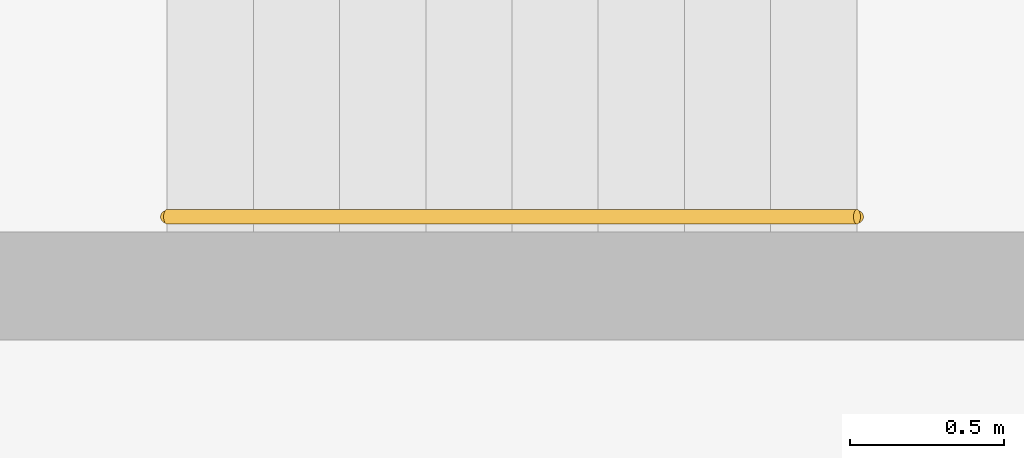
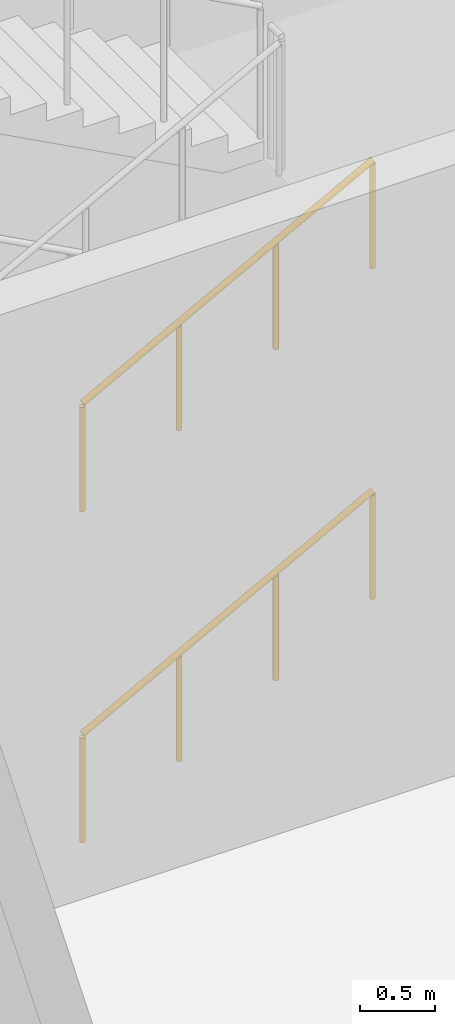
# One storey, part 24 of 35: 2 railings.
"""IFC4 building model written with IfcOpenShell, lengths in metres."""

from ifc_helpers import new_model, si_unit, direction, frame, origin, origin_2d, place, context, subcontext, project, spatial, circle, extrude, material, type_object, element, save


model = new_model("IFC4")

# Units and contexts
model_context = context("Model", 3, precision=1e-05, world=origin(), true_north=direction((0.0, 1.0)))
body_context = subcontext(model_context, "Body", "Model", "MODEL_VIEW")
ifc_project = project(units=[si_unit("LENGTHUNIT", "METRE"), si_unit("AREAUNIT", "SQUARE_METRE"), si_unit("VOLUMEUNIT", "CUBIC_METRE"), si_unit("PLANEANGLEUNIT", "RADIAN"), si_unit("MASSUNIT", "GRAM", prefix="KILO")], contexts=[model_context])

# Site, building, storey
site_placement = place(None, origin())
site = spatial("IfcSite", under=ifc_project, at=site_placement, CompositionType="ELEMENT")
building_placement = place(site_placement, origin())
building = spatial("IfcBuilding", under=site, at=building_placement, Name="Jabali Bay Hotel Tower and Convention Centre", CompositionType="ELEMENT")
storey_placement = place(building_placement, frame((0.0, 0.0, 15.0)))
storey = spatial("IfcBuildingStorey", under=building, at=storey_placement, Name="L02", CompositionType="ELEMENT", Elevation=15.0)

# Railings
ifc_material = material(Name="Stainless steel 304", Category="steel")
railing_type = type_object("IfcRailingType", Name="CC Stair Handrail 900", PredefinedType="HANDRAIL", material=ifc_material)
railing_1_placement = place(storey_placement, frame((152.10009765625, 100.22509765625, 0.14990234375)))
element("IfcRailing", 1, at=railing_1_placement, inside=storey, type_object=railing_type, Name="L02 CC-STWA stair handrail 1", PredefinedType="HANDRAIL", context=body_context, shape_type="SweptSolid", body=[
    extrude(circle(Radius=0.02392578125, at=origin_2d()), frame((0.0, 0.0, 0.8759765625), z_axis=(0.881447119201, 0.0, 0.472282728937), x_axis=(0.0, 1.0, 0.0)), (0.0, 0.0, 1.0), 2.541259765625),
    extrude(circle(Radius=0.02099609375, at=origin_2d()), origin(), (0.0, 0.0, 1.0), 0.851806640625),
    extrude(circle(Radius=0.02099609375, at=origin_2d()), frame((0.74658203125, 0.0, 0.400146484375)), (0.0, 0.0, 1.0), 0.851806640625),
    extrude(circle(Radius=0.02099609375, at=origin_2d()), frame((1.493408203125, 0.0, 0.800048828125)), (0.0, 0.0, 1.0), 0.851806640625),
    extrude(circle(Radius=0.02099609375, at=origin_2d()), frame((2.239990234375, 0.0, 1.2001953125)), (0.0, 0.0, 1.0), 0.851806640625),
])
railing_2_placement = place(storey_placement, frame((152.10009765625, 100.22509765625, 2.85009765625)))
element("IfcRailing", 2, at=railing_2_placement, inside=storey, type_object=railing_type, Name="L02 CC-STWA stair handrail 3", PredefinedType="HANDRAIL", context=body_context, shape_type="SweptSolid", body=[
    extrude(circle(Radius=0.02392578125, at=origin_2d()), frame((0.0, 0.0, 0.8759765625), z_axis=(0.881487111273, 0.0, 0.472208081951), x_axis=(0.0, 1.0, 0.0)), (0.0, 0.0, 1.0), 2.541259765625),
    extrude(circle(Radius=0.02099609375, at=origin_2d()), origin(), (0.0, 0.0, 1.0), 0.851806640625),
    extrude(circle(Radius=0.02099609375, at=origin_2d()), frame((0.74658203125, 0.0, 0.39990234375)), (0.0, 0.0, 1.0), 0.851806640625),
    extrude(circle(Radius=0.02099609375, at=origin_2d()), frame((1.493408203125, 0.0, 0.800048828125)), (0.0, 0.0, 1.0), 0.851806640625),
    extrude(circle(Radius=0.02099609375, at=origin_2d()), frame((2.239990234375, 0.0, 1.199951171875)), (0.0, 0.0, 1.0), 0.851806640625),
])

save(model, "model.ifc")
